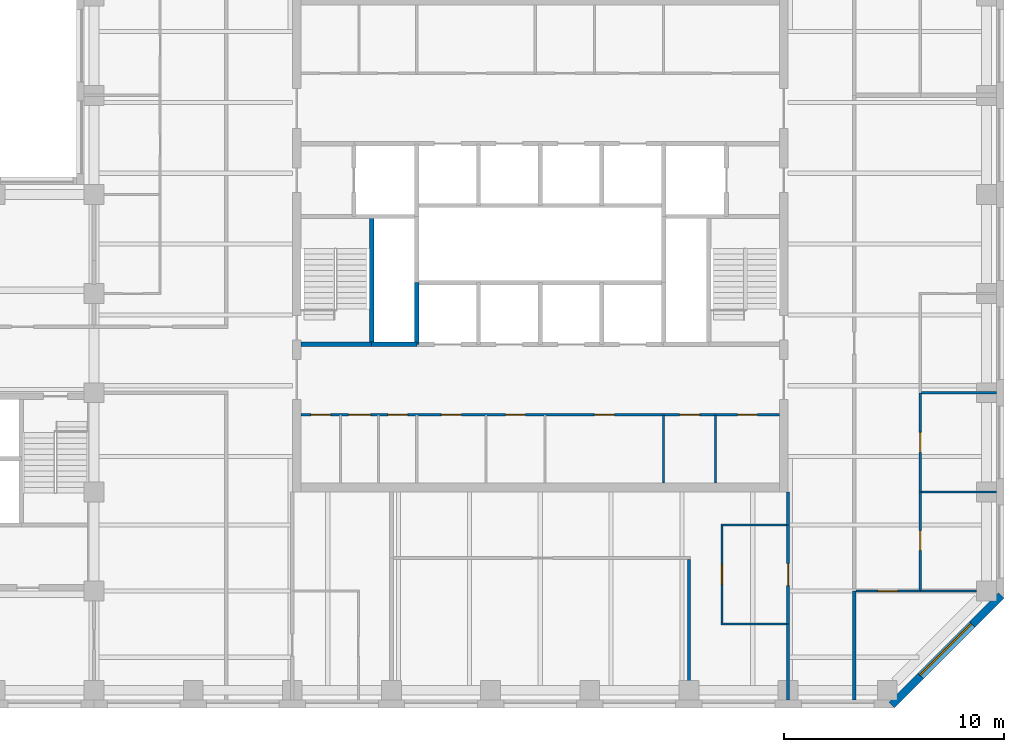
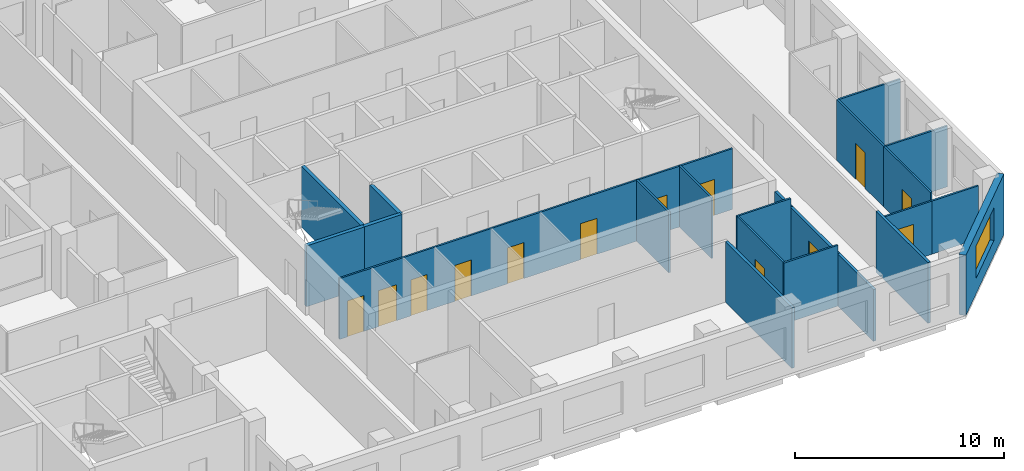
# One storey, part 5 of 10: 22 walls, 13 doors, 1 window, 14 openings.
"""IFC4 building model written with IfcOpenShell, lengths in metres."""

from ifc_helpers import new_model, si_unit, direction, frame, frame_2d, origin, place, context, subcontext, project, spatial, rectangle, extrude, material, layer, layer_set, constituent, constituent_set, type_object, element, fill, save


model = new_model("IFC4")

# Units and contexts
model_context = context("Model", 3, precision=1e-05, world=origin(), true_north=direction((0.0, 1.0)))
body_context = subcontext(model_context, "Body", "Model", "MODEL_VIEW")
ifc_project = project(units=[si_unit("LENGTHUNIT", "METRE"), si_unit("AREAUNIT", "SQUARE_METRE"), si_unit("VOLUMEUNIT", "CUBIC_METRE"), si_unit("PLANEANGLEUNIT", "RADIAN"), si_unit("MASSUNIT", "GRAM", prefix="KILO")], contexts=[model_context])

# Site, building, storey
site_placement = place(None, origin())
site = spatial("IfcSite", under=ifc_project, at=site_placement, CompositionType="ELEMENT")
building_placement = place(site_placement, origin())
building = spatial("IfcBuilding", under=site, at=building_placement, Name="Quoin Convention Tower", CompositionType="ELEMENT")
storey_placement = place(building_placement, frame((0.0, 0.0, 256.300048828125)))
storey = spatial("IfcBuildingStorey", under=building, at=storey_placement, Name="L67", CompositionType="ELEMENT", Elevation=256.300048828125)

# Wall
ifc_material_1 = material(Name="Plasterboard")
ifc_layer_1 = layer(ifc_material_1, 0.012451171875, Name="Finish")
ifc_material_2 = material(Name="Steel stud framing", Category="steel")
ifc_layer_2 = layer(ifc_material_2, 0.125, Name="Structure")
ifc_layer_3 = layer(ifc_material_1, 0.012451171875, Name="Finish")
ifc_layer_set_1 = layer_set([ifc_layer_1, ifc_layer_2, ifc_layer_3], Name="Steel stud framing")
wall_type_1 = type_object("IfcWallType", Name="Acoustic partition 150", PredefinedType="PARTITIONING", material=ifc_layer_set_1)
wall_1_placement = place(storey_placement, frame((63.0, 40.050048828125, 0.0), z_axis=(0.0, 0.0, 1.0), x_axis=(0.0, 1.0, 0.0)))
element("IfcWall", 1, at=wall_1_placement, inside=storey, type_object=wall_type_1, Name="pw-L67-039", PredefinedType="PARTITIONING", context=body_context, shape_type="SweptSolid", body=[
    extrude(rectangle(XDim=6.375, YDim=0.14990234375, at=frame_2d((3.1875, 0.0))), origin(), (0.0, 0.0, 1.0), 3.550048828125),
])

# Wall, opening, window
ifc_material_3 = material(Name="Brick masonry", Category="masonry")
ifc_layer_4 = layer(ifc_material_3, 0.35009765625)
ifc_layer_set_2 = layer_set([ifc_layer_4], Name="Brick masonry")
wall_type_2 = type_object("IfcWallType", Name="Brick facade wall", PredefinedType="STANDARD", material=ifc_layer_set_2)
wall_2_placement = place(storey_placement, frame((72.20751953125, 39.82373046875, 0.0), z_axis=(0.0, 0.0, 1.0), x_axis=(0.707106781187, 0.707106781187, 0.0)))
wall_2 = element("IfcWall", 2, at=wall_2_placement, inside=storey, type_object=wall_type_2, Name="fw-L67-72000_40500", PredefinedType="STANDARD", context=body_context, shape_type="SweptSolid", body=[
    extrude(rectangle(XDim=7.02685546875, YDim=0.35009765625, at=frame_2d((3.513427734375, 0.0))), origin(), (0.0, 0.0, 1.0), 3.52490234375),
])
opening_1_placement = place(wall_2_placement, frame((1.86328125, 0.0, 0.89990234375)))
opening_1 = element("IfcOpeningElement", 3, at=opening_1_placement, cuts=wall_2, Name="Opening W-02", PredefinedType="OPENING", context=body_context, shape_type="SweptSolid", body=[
    extrude(rectangle(XDim=3.300048828125, YDim=1.89990234375, at=frame_2d((1.64990234375, 0.949951171875))), frame((0.0, 0.18505859375, 0.0), z_axis=(0.0, -1.0, 0.0), x_axis=(1.0, 0.0, 0.0)), (0.0, 0.0, 1.0), 0.3701171875),
])
ifc_material_4 = material(Name="Aluminium", Category="aluminium")
ifc_constituent_1 = constituent(ifc_material_4, Name="Frame")
ifc_material_5 = material(Name="Insulated glass", Category="glass")
ifc_constituent_2 = constituent(ifc_material_5, Name="Glazing")
ifc_constituent_set = constituent_set(constituents=[ifc_constituent_1, ifc_constituent_2], Name="Aluminium")
window_type = type_object("IfcWindowType", Name="Office window", PartitioningType="DOUBLE_PANEL_VERTICAL", PredefinedType="WINDOW", material=ifc_constituent_set)
window_placement = place(opening_1_placement, origin())
window = element("IfcWindow", 4, at=window_placement, inside=storey, type_object=window_type, Name="win-L67-74692_42308", OverallHeight=1.89990234375, OverallWidth=3.300048828125, PartitioningType="SINGLE_PANEL", PredefinedType="WINDOW", context=body_context, shape_type="SweptSolid", body=[
    extrude(rectangle(XDim=3.300048828125, YDim=1.89990234375, at=frame_2d((1.64990234375, 0.949951171875))), frame((0.0, 0.0849609375, 0.0), z_axis=(0.0, -1.0, 0.0), x_axis=(1.0, 0.0, 0.0)), (0.0, 0.0, 1.0), 0.06005859375),
])
fill(opening_1, window)

# Wall, openings, doors
ifc_layer_5 = layer(ifc_material_1, 0.012451171875, Name="Finish")
ifc_layer_6 = layer(ifc_material_2, 0.074951171875, Name="Structure")
ifc_layer_7 = layer(ifc_material_1, 0.012451171875, Name="Finish")
ifc_layer_set_3 = layer_set([ifc_layer_5, ifc_layer_6, ifc_layer_7], Name="Steel stud framing")
wall_type_3 = type_object("IfcWallType", Name="Core partition wall", PredefinedType="PARTITIONING", material=ifc_layer_set_3)
wall_3_placement = place(storey_placement, frame((45.39990234375, 53.0, 0.0), z_axis=(0.0, 0.0, 1.0), x_axis=(1.0, 0.0, 0.0)))
wall_3 = element("IfcWall", 5, at=wall_3_placement, inside=storey, type_object=wall_type_3, Name="cr-C1-L67-h3500_400", PredefinedType="PARTITIONING", context=body_context, shape_type="SweptSolid", body=[
    extrude(rectangle(XDim=21.7001953125, YDim=0.10009765625, at=frame_2d((10.85009765625, 0.0))), origin(), (0.0, 0.0, 1.0), 3.550048828125),
])
opening_2_placement = place(wall_3_placement, frame((19.806396484375, 0.0, 0.0)))
opening_2 = element("IfcOpeningElement", 6, at=opening_2_placement, cuts=wall_3, Name="Opening DCV5-40", PredefinedType="OPENING", context=body_context, shape_type="SweptSolid", body=[
    extrude(rectangle(XDim=0.89990234375, YDim=2.10009765625, at=frame_2d((0.449951171875, 1.050048828125))), frame((0.0, 0.06005859375, 0.0), z_axis=(0.0, -1.0, 0.0), x_axis=(1.0, 0.0, 0.0)), (0.0, 0.0, 1.0), 0.1201171875),
])
opening_3_placement = place(wall_3_placement, frame((17.181396484375, 0.0, 0.0)))
opening_3 = element("IfcOpeningElement", 7, at=opening_3_placement, cuts=wall_3, Name="Opening DCV5-39", PredefinedType="OPENING", context=body_context, shape_type="SweptSolid", body=[
    extrude(rectangle(XDim=0.89990234375, YDim=2.10009765625, at=frame_2d((0.449951171875, 1.050048828125))), frame((0.0, 0.06005859375, 0.0), z_axis=(0.0, -1.0, 0.0), x_axis=(1.0, 0.0, 0.0)), (0.0, 0.0, 1.0), 0.1201171875),
])
opening_4_placement = place(wall_3_placement, frame((0.4423828125, 0.0, 0.0)))
opening_4 = element("IfcOpeningElement", 8, at=opening_4_placement, cuts=wall_3, Name="Opening DCV5-31", PredefinedType="OPENING", context=body_context, shape_type="SweptSolid", body=[
    extrude(rectangle(XDim=0.89990234375, YDim=2.10009765625, at=frame_2d((0.449951171875, 1.050048828125))), frame((0.0, 0.06005859375, 0.0), z_axis=(0.0, -1.0, 0.0), x_axis=(1.0, 0.0, 0.0)), (0.0, 0.0, 1.0), 0.1201171875),
])
opening_5_placement = place(wall_3_placement, frame((2.1513671875, 0.0, 0.0)))
opening_5 = element("IfcOpeningElement", 9, at=opening_5_placement, cuts=wall_3, Name="Opening DCV5-32", PredefinedType="OPENING", context=body_context, shape_type="SweptSolid", body=[
    extrude(rectangle(XDim=1.0, YDim=2.10009765625, at=frame_2d((0.5, 1.050048828125))), frame((0.0, 0.06005859375, 0.0), z_axis=(0.0, -1.0, 0.0), x_axis=(1.0, 0.0, 0.0)), (0.0, 0.0, 1.0), 0.1201171875),
])
opening_6_placement = place(wall_3_placement, frame((3.93359375, 0.0, 0.0)))
opening_6 = element("IfcOpeningElement", 10, at=opening_6_placement, cuts=wall_3, Name="Opening DCV5-33", PredefinedType="OPENING", context=body_context, shape_type="SweptSolid", body=[
    extrude(rectangle(XDim=0.89990234375, YDim=2.10009765625, at=frame_2d((0.449951171875, 1.050048828125))), frame((0.0, 0.06005859375, 0.0), z_axis=(0.0, -1.0, 0.0), x_axis=(1.0, 0.0, 0.0)), (0.0, 0.0, 1.0), 0.1201171875),
])
opening_7_placement = place(wall_3_placement, frame((6.367919921875, 0.0, 0.0)))
opening_7 = element("IfcOpeningElement", 11, at=opening_7_placement, cuts=wall_3, Name="Opening DCV5-34", PredefinedType="OPENING", context=body_context, shape_type="SweptSolid", body=[
    extrude(rectangle(XDim=0.89990234375, YDim=2.10009765625, at=frame_2d((0.449951171875, 1.050048828125))), frame((0.0, 0.06005859375, 0.0), z_axis=(0.0, -1.0, 0.0), x_axis=(1.0, 0.0, 0.0)), (0.0, 0.0, 1.0), 0.1201171875),
])
opening_8_placement = place(wall_3_placement, frame((9.280029296875, 0.0, 0.0)))
opening_8 = element("IfcOpeningElement", 12, at=opening_8_placement, cuts=wall_3, Name="Opening DCV5-36", PredefinedType="OPENING", context=body_context, shape_type="SweptSolid", body=[
    extrude(rectangle(XDim=0.89990234375, YDim=2.10009765625, at=frame_2d((0.449951171875, 1.050048828125))), frame((0.0, 0.06005859375, 0.0), z_axis=(0.0, -1.0, 0.0), x_axis=(1.0, 0.0, 0.0)), (0.0, 0.0, 1.0), 0.1201171875),
])
opening_9_placement = place(wall_3_placement, frame((13.31201171875, 0.0, 0.0)))
opening_9 = element("IfcOpeningElement", 13, at=opening_9_placement, cuts=wall_3, Name="Opening DCV5-38", PredefinedType="OPENING", context=body_context, shape_type="SweptSolid", body=[
    extrude(rectangle(XDim=0.89990234375, YDim=2.10009765625, at=frame_2d((0.449951171875, 1.050048828125))), frame((0.0, 0.06005859375, 0.0), z_axis=(0.0, -1.0, 0.0), x_axis=(1.0, 0.0, 0.0)), (0.0, 0.0, 1.0), 0.1201171875),
])
ifc_material_6 = material(Name="Steel door leaf", Category="steel")
door_type_1 = type_object("IfcDoorType", Name="Core room door 1000 x 2100", OperationType="SINGLE_SWING_LEFT", PredefinedType="DOOR", material=ifc_material_6)
door_1_placement = place(opening_5_placement, frame((1.0, 0.0, 0.0), z_axis=(0.0, 0.0, 1.0), x_axis=(-1.0, 0.0, 0.0)))
door_1 = element("IfcDoor", 14, at=door_1_placement, inside=storey, type_object=door_type_1, Name="cd-C1-L67-CSW1-lobA-CD6713", OperationType="SINGLE_SWING_LEFT", OverallHeight=2.10009765625, OverallWidth=1.0, PredefinedType="DOOR", context=body_context, shape_type="SweptSolid", body=[
    extrude(rectangle(XDim=1.0, YDim=2.10009765625, at=frame_2d((0.5, 1.050048828125))), frame((0.0, 0.02490234375, 0.0), z_axis=(0.0, -1.0, 0.0), x_axis=(1.0, 0.0, 0.0)), (0.0, 0.0, 1.0), 0.050048828125),
])
fill(opening_5, door_1)
door_type_2 = type_object("IfcDoorType", Name="Core room door 900 x 2100", OperationType="SINGLE_SWING_LEFT", PredefinedType="DOOR", material=ifc_material_6)
door_2_placement = place(opening_2_placement, frame((0.89990234375, 0.0, 0.0), z_axis=(0.0, 0.0, 1.0), x_axis=(-1.0, 0.0, 0.0)))
door_2 = element("IfcDoor", 15, at=door_2_placement, inside=storey, type_object=door_type_2, Name="cd-C1-L67-CSE0-lobA-CD6710", OperationType="SINGLE_SWING_LEFT", OverallHeight=2.10009765625, OverallWidth=0.89990234375, PredefinedType="DOOR", context=body_context, shape_type="SweptSolid", body=[
    extrude(rectangle(XDim=0.89990234375, YDim=2.10009765625, at=frame_2d((0.449951171875, 1.050048828125))), frame((0.0, 0.02490234375, 0.0), z_axis=(0.0, -1.0, 0.0), x_axis=(1.0, 0.0, 0.0)), (0.0, 0.0, 1.0), 0.050048828125),
])
fill(opening_2, door_2)
door_3_placement = place(opening_3_placement, frame((0.89990234375, 0.0, 0.0), z_axis=(0.0, 0.0, 1.0), x_axis=(-1.0, 0.0, 0.0)))
door_3 = element("IfcDoor", 16, at=door_3_placement, inside=storey, type_object=door_type_2, Name="cd-C1-L67-CSE1-lobA-CD6711", OperationType="SINGLE_SWING_LEFT", OverallHeight=2.10009765625, OverallWidth=0.89990234375, PredefinedType="DOOR", context=body_context, shape_type="SweptSolid", body=[
    extrude(rectangle(XDim=0.89990234375, YDim=2.10009765625, at=frame_2d((0.449951171875, 1.050048828125))), frame((0.0, 0.02490234375, 0.0), z_axis=(0.0, -1.0, 0.0), x_axis=(1.0, 0.0, 0.0)), (0.0, 0.0, 1.0), 0.050048828125),
])
fill(opening_3, door_3)
door_4_placement = place(opening_4_placement, frame((0.89990234375, 0.0, 0.0), z_axis=(0.0, 0.0, 1.0), x_axis=(-1.0, 0.0, 0.0)))
door_4 = element("IfcDoor", 17, at=door_4_placement, inside=storey, type_object=door_type_2, Name="cd-C1-L67-CSW0-lobA-CD6712", OperationType="SINGLE_SWING_LEFT", OverallHeight=2.10009765625, OverallWidth=0.89990234375, PredefinedType="DOOR", context=body_context, shape_type="SweptSolid", body=[
    extrude(rectangle(XDim=0.89990234375, YDim=2.10009765625, at=frame_2d((0.449951171875, 1.050048828125))), frame((0.0, 0.02490234375, 0.0), z_axis=(0.0, -1.0, 0.0), x_axis=(1.0, 0.0, 0.0)), (0.0, 0.0, 1.0), 0.050048828125),
])
fill(opening_4, door_4)
door_5_placement = place(opening_6_placement, frame((0.89990234375, 0.0, 0.0), z_axis=(0.0, 0.0, 1.0), x_axis=(-1.0, 0.0, 0.0)))
door_5 = element("IfcDoor", 18, at=door_5_placement, inside=storey, type_object=door_type_2, Name="cd-C1-L67-CSW2-lobA-CD6714", OperationType="SINGLE_SWING_LEFT", OverallHeight=2.10009765625, OverallWidth=0.89990234375, PredefinedType="DOOR", context=body_context, shape_type="SweptSolid", body=[
    extrude(rectangle(XDim=0.89990234375, YDim=2.10009765625, at=frame_2d((0.449951171875, 1.050048828125))), frame((0.0, 0.02490234375, 0.0), z_axis=(0.0, -1.0, 0.0), x_axis=(1.0, 0.0, 0.0)), (0.0, 0.0, 1.0), 0.050048828125),
])
fill(opening_6, door_5)
door_6_placement = place(opening_7_placement, frame((0.89990234375, 0.0, 0.0), z_axis=(0.0, 0.0, 1.0), x_axis=(-1.0, 0.0, 0.0)))
door_6 = element("IfcDoor", 19, at=door_6_placement, inside=storey, type_object=door_type_2, Name="cd-C1-L67-F10-lobA-CD6715", OperationType="SINGLE_SWING_LEFT", OverallHeight=2.10009765625, OverallWidth=0.89990234375, PredefinedType="DOOR", context=body_context, shape_type="SweptSolid", body=[
    extrude(rectangle(XDim=0.89990234375, YDim=2.10009765625, at=frame_2d((0.449951171875, 1.050048828125))), frame((0.0, 0.02490234375, 0.0), z_axis=(0.0, -1.0, 0.0), x_axis=(1.0, 0.0, 0.0)), (0.0, 0.0, 1.0), 0.050048828125),
])
fill(opening_7, door_6)
door_7_placement = place(opening_8_placement, frame((0.89990234375, 0.0, 0.0), z_axis=(0.0, 0.0, 1.0), x_axis=(-1.0, 0.0, 0.0)))
door_7 = element("IfcDoor", 20, at=door_7_placement, inside=storey, type_object=door_type_2, Name="cd-C1-L67-F11-lobA-CD6716", OperationType="SINGLE_SWING_LEFT", OverallHeight=2.10009765625, OverallWidth=0.89990234375, PredefinedType="DOOR", context=body_context, shape_type="SweptSolid", body=[
    extrude(rectangle(XDim=0.89990234375, YDim=2.10009765625, at=frame_2d((0.449951171875, 1.050048828125))), frame((0.0, 0.02490234375, 0.0), z_axis=(0.0, -1.0, 0.0), x_axis=(1.0, 0.0, 0.0)), (0.0, 0.0, 1.0), 0.050048828125),
])
fill(opening_8, door_7)
door_8_placement = place(opening_9_placement, frame((0.89990234375, 0.0, 0.0), z_axis=(0.0, 0.0, 1.0), x_axis=(-1.0, 0.0, 0.0)))
door_8 = element("IfcDoor", 21, at=door_8_placement, inside=storey, type_object=door_type_2, Name="cd-C1-L67-F12-lobA-CD6717", OperationType="SINGLE_SWING_LEFT", OverallHeight=2.10009765625, OverallWidth=0.89990234375, PredefinedType="DOOR", context=body_context, shape_type="SweptSolid", body=[
    extrude(rectangle(XDim=0.89990234375, YDim=2.10009765625, at=frame_2d((0.449951171875, 1.050048828125))), frame((0.0, 0.02490234375, 0.0), z_axis=(0.0, -1.0, 0.0), x_axis=(1.0, 0.0, 0.0)), (0.0, 0.0, 1.0), 0.050048828125),
])
fill(opening_9, door_8)

# Walls
for number, where, z_axis, x_axis, name in (
    (22, (61.85009765625, 49.89990234375, 0.0), (0.0, 0.0, 1.0), (0.0, 1.0, 0.0), "cr-C1-L67-v16850_400"),
    (23, (64.21240234375, 49.89990234375, 0.0), (0.0, 0.0, 1.0), (0.0, 1.0, 0.0), "cr-C1-L67-v19212_400"),
):
    element("IfcWall", number, at=place(storey_placement, frame(where, z_axis=z_axis, x_axis=x_axis)), inside=storey, type_object=wall_type_3, Name=name, PredefinedType="PARTITIONING", context=body_context, shape_type="SweptSolid", body=[
        extrude(rectangle(XDim=3.10009765625, YDim=0.10009765625, at=frame_2d((1.550048828125, 0.0))), origin(), (0.0, 0.0, 1.0), 3.550048828125),
    ])
ifc_material_7 = material(Name="Concrete C50", Category="concrete")
ifc_layer_8 = layer(ifc_material_7, 0.199951171875)
ifc_layer_set_4 = layer_set([ifc_layer_8], Name="Concrete C50")
wall_type_4 = type_object("IfcWallType", Name="Core shaft wall", PredefinedType="SOLIDWALL", material=ifc_layer_set_4)
wall_4_placement = place(storey_placement, frame((48.60009765625, 56.199951171875, 0.0), z_axis=(0.0, 0.0, 1.0), x_axis=(1.0, 0.0, 0.0)))
element("IfcWall", 24, at=wall_4_placement, inside=storey, type_object=wall_type_4, Name="cr-C1-L67-h6700_3600", PredefinedType="SOLIDWALL", context=body_context, shape_type="SweptSolid", body=[
    extrude(rectangle(XDim=2.0498046875, YDim=0.199951171875, at=frame_2d((1.02490234375, 0.0))), origin(), (0.0, 0.0, 1.0), 3.550048828125),
])
wall_5_placement = place(storey_placement, frame((45.39990234375, 56.199951171875, 0.0), z_axis=(0.0, 0.0, 1.0), x_axis=(1.0, 0.0, 0.0)))
element("IfcWall", 25, at=wall_5_placement, inside=storey, type_object=wall_type_4, Name="cr-C1-L67-h6700_400", PredefinedType="SOLIDWALL", context=body_context, shape_type="SweptSolid", body=[
    extrude(rectangle(XDim=3.2001953125, YDim=0.199951171875, at=frame_2d((1.60009765625, 0.0))), origin(), (0.0, 0.0, 1.0), 3.550048828125),
])
wall_6_placement = place(storey_placement, frame((48.60009765625, 56.199951171875, 0.0), z_axis=(0.0, 0.0, 1.0), x_axis=(0.0, 1.0, 0.0)))
element("IfcWall", 26, at=wall_6_placement, inside=storey, type_object=wall_type_4, Name="cr-C1-L67-v3600_6700", PredefinedType="SOLIDWALL", context=body_context, shape_type="SweptSolid", body=[
    extrude(rectangle(XDim=5.800048828125, YDim=0.199951171875, at=frame_2d((2.89990234375, 0.0))), origin(), (0.0, 0.0, 1.0), 3.550048828125),
])
wall_7_placement = place(storey_placement, frame((50.64990234375, 56.199951171875, 0.0), z_axis=(0.0, 0.0, 1.0), x_axis=(0.0, 1.0, 0.0)))
element("IfcWall", 27, at=wall_7_placement, inside=storey, type_object=wall_type_4, Name="cr-C1-L67-v5650_6700", PredefinedType="SOLIDWALL", context=body_context, shape_type="SweptSolid", body=[
    extrude(rectangle(XDim=2.800048828125, YDim=0.199951171875, at=frame_2d((1.39990234375, 0.0))), origin(), (0.0, 0.0, 1.0), 3.550048828125),
])
ifc_layer_9 = layer(ifc_material_1, 0.012451171875, Name="Finish")
ifc_layer_10 = layer(ifc_material_2, 0.125, Name="Structure")
ifc_layer_11 = layer(ifc_material_1, 0.012451171875, Name="Finish")
ifc_layer_set_5 = layer_set([ifc_layer_9, ifc_layer_10, ifc_layer_11], Name="Steel stud framing")
wall_type_5 = type_object("IfcWallType", Name="Corridor wall 150", PredefinedType="PARTITIONING", material=ifc_layer_set_5)
wall_8_placement = place(storey_placement, frame((70.5, 40.050048828125, 0.0), z_axis=(0.0, 0.0, 1.0), x_axis=(0.0, 1.0, 0.0)))
element("IfcWall", 28, at=wall_8_placement, inside=storey, type_object=wall_type_5, Name="pw-L67-041", PredefinedType="PARTITIONING", context=body_context, shape_type="SweptSolid", body=[
    extrude(rectangle(XDim=4.949951171875, YDim=0.14990234375, at=frame_2d((2.47509765625, 0.0))), origin(), (0.0, 0.0, 1.0), 3.550048828125),
])
ifc_layer_12 = layer(ifc_material_1, 0.012451171875, Name="Finish")
ifc_layer_13 = layer(ifc_material_2, 0.125, Name="Structure")
ifc_layer_14 = layer(ifc_material_1, 0.012451171875, Name="Finish")
ifc_layer_set_6 = layer_set([ifc_layer_12, ifc_layer_13, ifc_layer_14], Name="Steel stud framing")
wall_type_6 = type_object("IfcWallType", Name="Corridor wall 150 under beam 528", PredefinedType="PARTITIONING", material=ifc_layer_set_6)
wall_9_placement = place(storey_placement, frame((67.5, 40.050048828125, 0.0), z_axis=(0.0, 0.0, 1.0), x_axis=(0.0, 1.0, 0.0)))
element("IfcWall", 29, at=wall_9_placement, inside=storey, type_object=wall_type_6, Name="pw-L67-040", PredefinedType="PARTITIONING", context=body_context, shape_type="SweptSolid", body=[
    extrude(rectangle(XDim=3.449951171875, YDim=0.14990234375, at=frame_2d((1.72509765625, 0.0))), origin(), (0.0, 0.0, 1.0), 3.02197265625),
])

# Wall, opening, door
wall_10_placement = place(storey_placement, frame((67.5, 43.5, 0.0), z_axis=(0.0, 0.0, 1.0), x_axis=(0.0, 1.0, 0.0)))
wall_10 = element("IfcWall", 30, at=wall_10_placement, inside=storey, type_object=wall_type_6, Name="pw-L67-043", PredefinedType="PARTITIONING", context=body_context, shape_type="SweptSolid", body=[
    extrude(rectangle(XDim=4.5, YDim=0.14990234375, at=frame_2d((2.25, 0.0))), origin(), (0.0, 0.0, 1.0), 3.02197265625),
])
opening_10_placement = place(wall_10_placement, frame((1.75, 0.0, 0.0)))
opening_10 = element("IfcOpeningElement", 31, at=opening_10_placement, cuts=wall_10, Name="Opening DOHX-13", PredefinedType="OPENING", context=body_context, shape_type="SweptSolid", body=[
    extrude(rectangle(XDim=1.0, YDim=2.10009765625, at=frame_2d((0.5, 1.050048828125))), frame((0.0, 0.0849609375, 0.0), z_axis=(0.0, -1.0, 0.0), x_axis=(1.0, 0.0, 0.0)), (0.0, 0.0, 1.0), 0.169921875),
])
door_type_3 = type_object("IfcDoorType", Name="Tenancy entrance door 1000 x 2100", OperationType="DOUBLE_DOOR_SINGLE_SWING", PredefinedType="DOOR", material=ifc_material_6)
door_9_placement = place(opening_10_placement, origin())
door_9 = element("IfcDoor", 32, at=door_9_placement, inside=storey, type_object=door_type_3, Name="dr-L67-18", OperationType="DOUBLE_DOOR_SINGLE_SWING", OverallHeight=2.10009765625, OverallWidth=1.0, PredefinedType="DOOR", context=body_context, shape_type="SweptSolid", body=[
    extrude(rectangle(XDim=1.0, YDim=2.10009765625, at=frame_2d((0.5, 1.050048828125))), frame((0.0, 0.02490234375, 0.0), z_axis=(0.0, -1.0, 0.0), x_axis=(1.0, 0.0, 0.0)), (0.0, 0.0, 1.0), 0.050048828125),
])
fill(opening_10, door_9)

# Walls
wall_11_placement = place(storey_placement, frame((67.5, 48.0, 0.0), z_axis=(0.0, 0.0, 1.0), x_axis=(0.0, 1.0, 0.0)))
element("IfcWall", 33, at=wall_11_placement, inside=storey, type_object=wall_type_6, Name="pw-L67-053", PredefinedType="PARTITIONING", context=body_context, shape_type="SweptSolid", body=[
    extrude(rectangle(XDim=1.5, YDim=0.14990234375, at=frame_2d((0.75, 0.0))), origin(), (0.0, 0.0, 1.0), 3.02197265625),
])
ifc_layer_15 = layer(ifc_material_1, 0.012451171875, Name="Finish")
ifc_layer_16 = layer(ifc_material_2, 0.074951171875, Name="Structure")
ifc_layer_17 = layer(ifc_material_1, 0.012451171875, Name="Finish")
ifc_layer_set_7 = layer_set([ifc_layer_15, ifc_layer_16, ifc_layer_17], Name="Steel stud framing")
wall_type_7 = type_object("IfcWallType", Name="Stud partition 100", PredefinedType="PARTITIONING", material=ifc_layer_set_7)
for number, where, z_axis, x_axis, name in (
    (34, (64.449951171875, 43.5, 0.0), (0.0, 0.0, 1.0), (1.0, 0.0, 0.0), "pw-L67-001"),
    (35, (64.449951171875, 48.0, 0.0), (0.0, 0.0, 1.0), (1.0, 0.0, 0.0), "pw-L67-009"),
):
    element("IfcWall", number, at=place(storey_placement, frame(where, z_axis=z_axis, x_axis=x_axis)), inside=storey, type_object=wall_type_7, Name=name, PredefinedType="PARTITIONING", context=body_context, shape_type="SweptSolid", body=[
        extrude(rectangle(XDim=2.97509765625, YDim=0.10009765625, at=frame_2d((1.487548828125, 0.0))), origin(), (0.0, 0.0, 1.0), 3.550048828125),
    ])
for number, where, z_axis, x_axis, name in (
    (36, (73.550048828125, 49.5, 0.0), (0.0, 0.0, 1.0), (1.0, 0.0, 0.0), "pw-L67-011"),
    (37, (73.550048828125, 54.0, 0.0), (0.0, 0.0, 1.0), (1.0, 0.0, 0.0), "pw-L67-014"),
):
    element("IfcWall", number, at=place(storey_placement, frame(where, z_axis=z_axis, x_axis=x_axis)), inside=storey, type_object=wall_type_7, Name=name, PredefinedType="PARTITIONING", context=body_context, shape_type="SweptSolid", body=[
        extrude(rectangle(XDim=3.39990234375, YDim=0.10009765625, at=frame_2d((1.699951171875, 0.0))), origin(), (0.0, 0.0, 1.0), 3.550048828125),
    ])

# Wall, opening, door
wall_12_placement = place(storey_placement, frame((64.5, 43.550048828125, 0.0), z_axis=(0.0, 0.0, 1.0), x_axis=(0.0, 1.0, 0.0)))
wall_12 = element("IfcWall", 38, at=wall_12_placement, inside=storey, type_object=wall_type_7, Name="pw-L67-044", PredefinedType="PARTITIONING", context=body_context, shape_type="SweptSolid", body=[
    extrude(rectangle(XDim=4.39990234375, YDim=0.10009765625, at=frame_2d((2.199951171875, 0.0))), origin(), (0.0, 0.0, 1.0), 3.550048828125),
])
opening_11_placement = place(wall_12_placement, frame((1.75, 0.0, 0.0)))
opening_11 = element("IfcOpeningElement", 39, at=opening_11_placement, cuts=wall_12, Name="Opening DOHX-14", PredefinedType="OPENING", context=body_context, shape_type="SweptSolid", body=[
    extrude(rectangle(XDim=0.89990234375, YDim=2.10009765625, at=frame_2d((0.449951171875, 1.050048828125))), frame((0.0, 0.06005859375, 0.0), z_axis=(0.0, -1.0, 0.0), x_axis=(1.0, 0.0, 0.0)), (0.0, 0.0, 1.0), 0.1201171875),
])
door_type_4 = type_object("IfcDoorType", Name="Office door 900 x 2100", OperationType="SINGLE_SWING_RIGHT", PredefinedType="DOOR", material=ifc_material_6)
door_10_placement = place(opening_11_placement, origin())
door_10 = element("IfcDoor", 40, at=door_10_placement, inside=storey, type_object=door_type_4, Name="dr-L67-19", OperationType="SINGLE_SWING_RIGHT", OverallHeight=2.10009765625, OverallWidth=0.89990234375, PredefinedType="DOOR", context=body_context, shape_type="SweptSolid", body=[
    extrude(rectangle(XDim=0.89990234375, YDim=2.10009765625, at=frame_2d((0.449951171875, 1.050048828125))), frame((0.0, 0.02490234375, 0.0), z_axis=(0.0, -1.0, 0.0), x_axis=(1.0, 0.0, 0.0)), (0.0, 0.0, 1.0), 0.050048828125),
])
fill(opening_11, door_10)

wall_13_placement = place(storey_placement, frame((73.5, 45.050048828125, 0.0), z_axis=(0.0, 0.0, 1.0), x_axis=(0.0, 1.0, 0.0)))
wall_13 = element("IfcWall", 41, at=wall_13_placement, inside=storey, type_object=wall_type_7, Name="pw-L67-049", PredefinedType="PARTITIONING", context=body_context, shape_type="SweptSolid", body=[
    extrude(rectangle(XDim=4.449951171875, YDim=0.10009765625, at=frame_2d((2.22509765625, 0.0))), origin(), (0.0, 0.0, 1.0), 3.550048828125),
])
opening_12_placement = place(wall_13_placement, frame((1.800048828125, 0.0, 0.0)))
opening_12 = element("IfcOpeningElement", 42, at=opening_12_placement, cuts=wall_13, Name="Opening DOHX-16", PredefinedType="OPENING", context=body_context, shape_type="SweptSolid", body=[
    extrude(rectangle(XDim=0.89990234375, YDim=2.10009765625, at=frame_2d((0.449951171875, 1.050048828125))), frame((0.0, 0.06005859375, 0.0), z_axis=(0.0, -1.0, 0.0), x_axis=(1.0, 0.0, 0.0)), (0.0, 0.0, 1.0), 0.1201171875),
])
door_11_placement = place(opening_12_placement, origin())
door_11 = element("IfcDoor", 43, at=door_11_placement, inside=storey, type_object=door_type_4, Name="dr-L67-27", OperationType="SINGLE_SWING_RIGHT", OverallHeight=2.10009765625, OverallWidth=0.89990234375, PredefinedType="DOOR", context=body_context, shape_type="SweptSolid", body=[
    extrude(rectangle(XDim=0.89990234375, YDim=2.10009765625, at=frame_2d((0.449951171875, 1.050048828125))), frame((0.0, 0.02490234375, 0.0), z_axis=(0.0, -1.0, 0.0), x_axis=(1.0, 0.0, 0.0)), (0.0, 0.0, 1.0), 0.050048828125),
])
fill(opening_12, door_11)

wall_14_placement = place(storey_placement, frame((73.5, 49.5, 0.0), z_axis=(0.0, 0.0, 1.0), x_axis=(0.0, 1.0, 0.0)))
wall_14 = element("IfcWall", 44, at=wall_14_placement, inside=storey, type_object=wall_type_7, Name="pw-L67-055", PredefinedType="PARTITIONING", context=body_context, shape_type="SweptSolid", body=[
    extrude(rectangle(XDim=4.5, YDim=0.10009765625, at=frame_2d((2.25, 0.0))), origin(), (0.0, 0.0, 1.0), 3.550048828125),
])
opening_13_placement = place(wall_14_placement, frame((1.800048828125, 0.0, 0.0)))
opening_13 = element("IfcOpeningElement", 45, at=opening_13_placement, cuts=wall_14, Name="Opening DOHX-17", PredefinedType="OPENING", context=body_context, shape_type="SweptSolid", body=[
    extrude(rectangle(XDim=0.89990234375, YDim=2.10009765625, at=frame_2d((0.449951171875, 1.050048828125))), frame((0.0, 0.06005859375, 0.0), z_axis=(0.0, -1.0, 0.0), x_axis=(1.0, 0.0, 0.0)), (0.0, 0.0, 1.0), 0.1201171875),
])
door_12_placement = place(opening_13_placement, origin())
door_12 = element("IfcDoor", 46, at=door_12_placement, inside=storey, type_object=door_type_4, Name="dr-L67-28", OperationType="SINGLE_SWING_RIGHT", OverallHeight=2.10009765625, OverallWidth=0.89990234375, PredefinedType="DOOR", context=body_context, shape_type="SweptSolid", body=[
    extrude(rectangle(XDim=0.89990234375, YDim=2.10009765625, at=frame_2d((0.449951171875, 1.050048828125))), frame((0.0, 0.02490234375, 0.0), z_axis=(0.0, -1.0, 0.0), x_axis=(1.0, 0.0, 0.0)), (0.0, 0.0, 1.0), 0.050048828125),
])
fill(opening_13, door_12)

ifc_layer_18 = layer(ifc_material_1, 0.012451171875, Name="Finish")
ifc_layer_19 = layer(ifc_material_2, 0.074951171875, Name="Structure")
ifc_layer_20 = layer(ifc_material_1, 0.012451171875, Name="Finish")
ifc_layer_set_8 = layer_set([ifc_layer_18, ifc_layer_19, ifc_layer_20], Name="Steel stud framing")
wall_type_8 = type_object("IfcWallType", Name="Stud partition 100 under beam 454", PredefinedType="PARTITIONING", material=ifc_layer_set_8)
wall_15_placement = place(storey_placement, frame((70.574951171875, 45.0, 0.0), z_axis=(0.0, 0.0, 1.0), x_axis=(1.0, 0.0, 0.0)))
wall_15 = element("IfcWall", 47, at=wall_15_placement, inside=storey, type_object=wall_type_8, Name="pw-L67-005", PredefinedType="PARTITIONING", context=body_context, shape_type="SweptSolid", body=[
    extrude(rectangle(XDim=2.925048828125, YDim=0.10009765625, at=frame_2d((1.46240234375, 0.0))), origin(), (0.0, 0.0, 1.0), 3.095947265625),
])
opening_14_placement = place(wall_15_placement, frame((1.0, 0.0, 0.0)))
opening_14 = element("IfcOpeningElement", 48, at=opening_14_placement, cuts=wall_15, Name="Opening DOHX-01", PredefinedType="OPENING", context=body_context, shape_type="SweptSolid", body=[
    extrude(rectangle(XDim=0.89990234375, YDim=2.10009765625, at=frame_2d((0.449951171875, 1.050048828125))), frame((0.0, 0.06005859375, 0.0), z_axis=(0.0, -1.0, 0.0), x_axis=(1.0, 0.0, 0.0)), (0.0, 0.0, 1.0), 0.1201171875),
])
door_13_placement = place(opening_14_placement, origin())
door_13 = element("IfcDoor", 49, at=door_13_placement, inside=storey, type_object=door_type_4, Name="dr-L67-26", OperationType="SINGLE_SWING_RIGHT", OverallHeight=2.10009765625, OverallWidth=0.89990234375, PredefinedType="DOOR", context=body_context, shape_type="SweptSolid", body=[
    extrude(rectangle(XDim=0.89990234375, YDim=2.10009765625, at=frame_2d((0.449951171875, 1.050048828125))), frame((0.0, 0.02490234375, 0.0), z_axis=(0.0, -1.0, 0.0), x_axis=(1.0, 0.0, 0.0)), (0.0, 0.0, 1.0), 0.050048828125),
])
fill(opening_14, door_13)

# Wall
wall_16_placement = place(storey_placement, frame((73.5, 45.0, 0.0), z_axis=(0.0, 0.0, 1.0), x_axis=(1.0, 0.0, 0.0)))
element("IfcWall", 50, at=wall_16_placement, inside=storey, type_object=wall_type_8, Name="pw-L67-006", PredefinedType="PARTITIONING", context=body_context, shape_type="SweptSolid", body=[
    extrude(rectangle(XDim=2.550048828125, YDim=0.10009765625, at=frame_2d((1.27490234375, 0.0))), origin(), (0.0, 0.0, 1.0), 3.095947265625),
])

save(model, "model.ifc")
